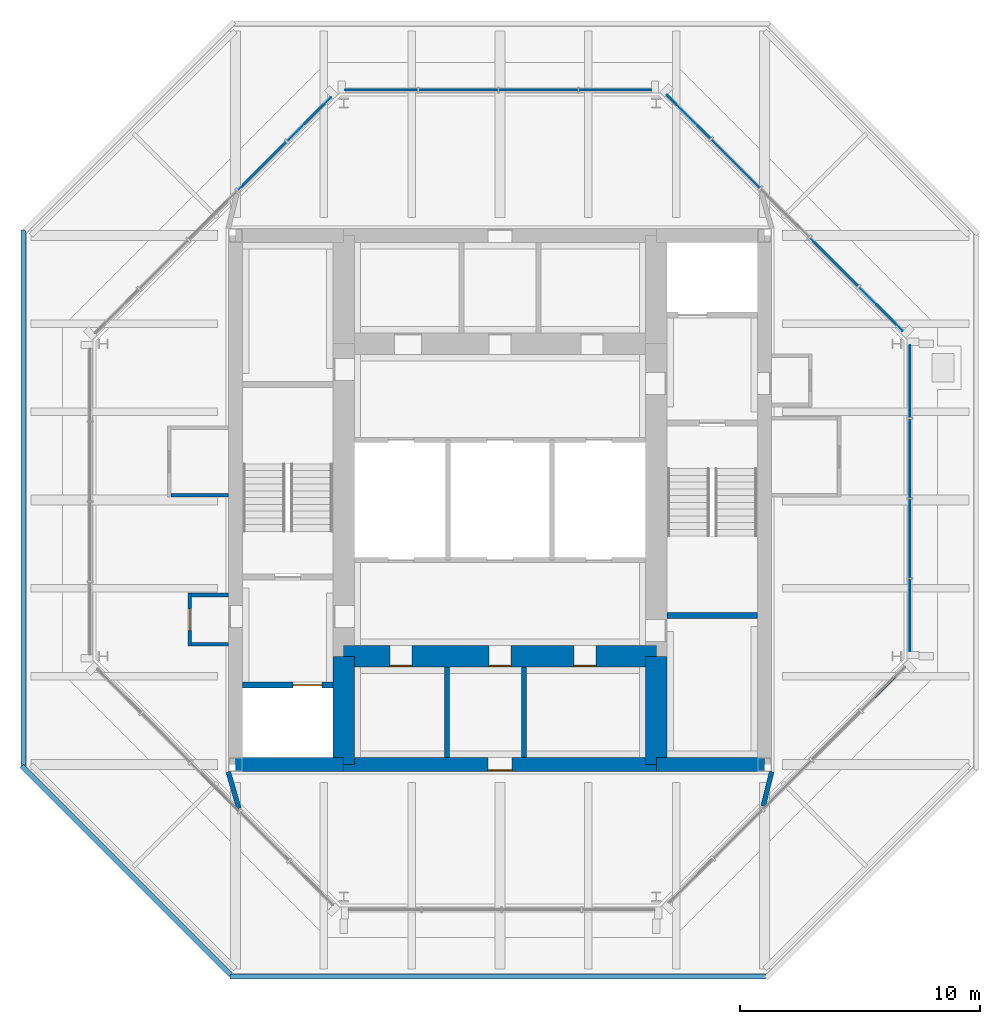
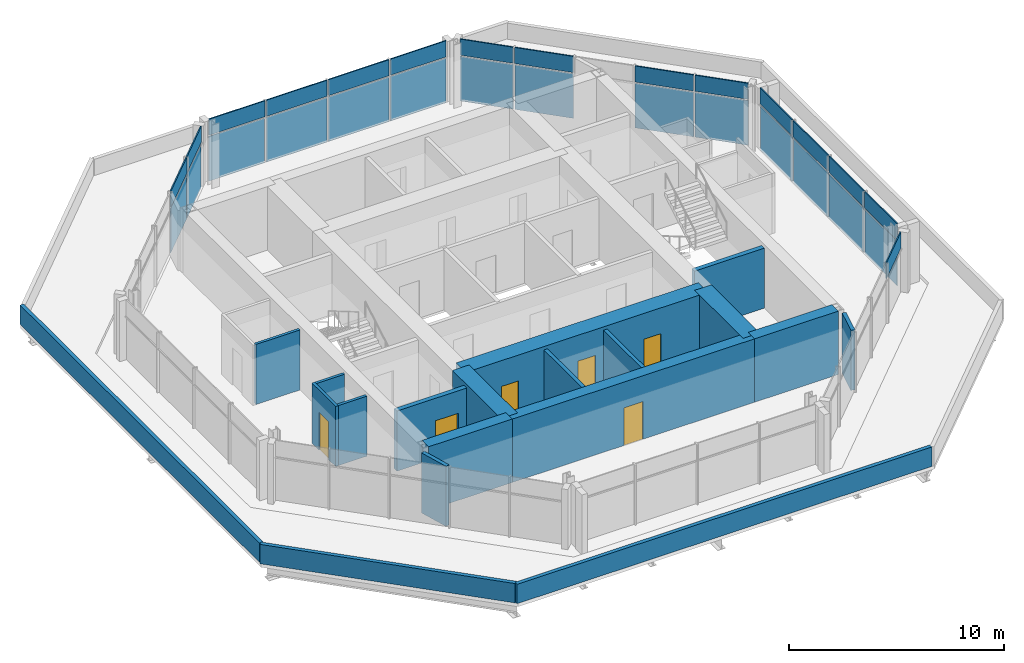
# One storey, part 7 of 10: 29 plates, 19 walls, 6 doors, 6 openings, 5 elements without a shape of their own.
"""IFC4 building model written with IfcOpenShell, lengths in metres."""

from ifc_helpers import new_model, si_unit, direction, frame, frame_2d, origin, origin_2d, place, context, subcontext, project, spatial, rectangle, extrude, material, layer, layer_set, type_object, element, fill, aggregate, save


model = new_model("IFC4")

# Units and contexts
model_context = context("Model", 3, precision=1e-05, world=origin(), true_north=direction((0.0, 1.0)))
body_context = subcontext(model_context, "Body", "Model", "MODEL_VIEW")
ifc_project = project(units=[si_unit("LENGTHUNIT", "METRE"), si_unit("AREAUNIT", "SQUARE_METRE"), si_unit("VOLUMEUNIT", "CUBIC_METRE"), si_unit("PLANEANGLEUNIT", "RADIAN"), si_unit("MASSUNIT", "GRAM", prefix="KILO")], contexts=[model_context])

# Site, building, storey
site_placement = place(None, origin())
site = spatial("IfcSite", under=ifc_project, at=site_placement, CompositionType="ELEMENT")
building_placement = place(site_placement, origin())
building = spatial("IfcBuilding", under=site, at=building_placement, Name="Trevanion Tower", CompositionType="ELEMENT")
storey_placement = place(building_placement, frame((0.0, 0.0, 263.199951171875)))
storey = spatial("IfcBuildingStorey", under=building, at=storey_placement, Name="L64", CompositionType="ELEMENT", Elevation=263.199951171875)

# Curtain wall, plates
ifc_material_1 = material(Name="Aluminium and glass", Category="aluminium")
curtain_wall_type = type_object("IfcCurtainWallType", Name="CW4 curtain wall", PredefinedType="USERDEFINED", material=ifc_material_1)
curtain_wall_1_placement = place(storey_placement, origin())
curtain_wall_1 = element("IfcCurtainWall", 1, at=curtain_wall_1_placement, inside=storey, type_object=curtain_wall_type, Name="CW4 L64 0", ObjectType="UNITISED CURTAIN WALL", PredefinedType="USERDEFINED")
ifc_material_2 = material(Name="Aluminium spandrel panel", Category="aluminium")
ifc_layer_1 = layer(ifc_material_2, 0.06005859375)
ifc_layer_set_1 = layer_set([ifc_layer_1], Name="CW4 spandrel panel")
plate_type_1 = type_object("IfcPlateType", Name="CW4 spandrel panel", PredefinedType="CURTAIN_PANEL", material=ifc_layer_set_1)
plate_1_placement = place(storey_placement, frame((17.050048828125, -4.80078125, 2.49755859375), z_axis=(0.0, 0.0, 1.0), x_axis=(0.0, 1.0, 0.0)))
plate_1 = element("IfcPlate", 2, at=plate_1_placement, type_object=plate_type_1, Name="CW4 panel 1.2", PredefinedType="CURTAIN_PANEL", context=body_context, shape_type="SweptSolid", body=[
    extrude(rectangle(XDim=2.993896484375, YDim=0.06005859375, at=origin_2d()), origin(), (0.0, 0.0, 1.0), 0.91259765625),
])
plate_2_placement = place(storey_placement, frame((17.050048828125, -1.6005859375, 2.49755859375), z_axis=(0.0, 0.0, 1.0), x_axis=(0.0, 1.0, 0.0)))
plate_2 = element("IfcPlate", 3, at=plate_2_placement, type_object=plate_type_1, Name="CW4 panel 2.2", PredefinedType="CURTAIN_PANEL", context=body_context, shape_type="SweptSolid", body=[
    extrude(rectangle(XDim=3.25634765625, YDim=0.06005859375, at=origin_2d()), origin(), (0.0, 0.0, 1.0), 0.91259765625),
])
plate_3_placement = place(storey_placement, frame((17.050048828125, 1.730712890625, 2.49755859375), z_axis=(0.0, 0.0, 1.0), x_axis=(0.0, 1.0, 0.0)))
plate_3 = element("IfcPlate", 4, at=plate_3_placement, type_object=plate_type_1, Name="CW4 panel 3.2", PredefinedType="CURTAIN_PANEL", context=body_context, shape_type="SweptSolid", body=[
    extrude(rectangle(XDim=3.25634765625, YDim=0.06005859375, at=origin_2d()), origin(), (0.0, 0.0, 1.0), 0.91259765625),
])
plate_4_placement = place(storey_placement, frame((17.050048828125, 4.930908203125, 2.49755859375), z_axis=(0.0, 0.0, 1.0), x_axis=(0.0, 1.0, 0.0)))
plate_4 = element("IfcPlate", 5, at=plate_4_placement, type_object=plate_type_1, Name="CW4 panel 4.2", PredefinedType="CURTAIN_PANEL", context=body_context, shape_type="SweptSolid", body=[
    extrude(rectangle(XDim=2.993896484375, YDim=0.06005859375, at=origin_2d()), origin(), (0.0, 0.0, 1.0), 0.91259765625),
])

curtain_wall_2_placement = place(storey_placement, origin())
curtain_wall_2 = element("IfcCurtainWall", 6, at=curtain_wall_2_placement, inside=storey, type_object=curtain_wall_type, Name="CW4 L64 1", ObjectType="UNITISED CURTAIN WALL", PredefinedType="USERDEFINED")
plate_5_placement = place(storey_placement, frame((15.84228515625, 7.935546875, 2.49755859375), z_axis=(0.0, 0.0, 1.0), x_axis=(-0.707106781187, 0.707106781187, 0.0)))
plate_5 = element("IfcPlate", 7, at=plate_5_placement, type_object=plate_type_1, Name="CW4 panel 1.2", PredefinedType="CURTAIN_PANEL", context=body_context, shape_type="SweptSolid", body=[
    extrude(rectangle(XDim=2.55615234375, YDim=0.06005859375, at=origin_2d()), origin(), (0.0, 0.0, 1.0), 0.91259765625),
])
plate_6_placement = place(storey_placement, frame((13.888916015625, 9.888916015625, 2.49755859375), z_axis=(0.0, 0.0, 1.0), x_axis=(-0.707106781187, 0.707106781187, 0.0)))
plate_6 = element("IfcPlate", 8, at=plate_6_placement, type_object=plate_type_1, Name="CW4 panel 2.2", PredefinedType="CURTAIN_PANEL", context=body_context, shape_type="SweptSolid", body=[
    extrude(rectangle(XDim=2.818603515625, YDim=0.06005859375, at=origin_2d()), origin(), (0.0, 0.0, 1.0), 0.91259765625),
])
plate_7_placement = place(storey_placement, frame((9.796875, 13.98095703125, 2.49755859375), z_axis=(0.0, 0.0, 1.0), x_axis=(-0.707106781187, 0.707106781187, 0.0)))
plate_7 = element("IfcPlate", 9, at=plate_7_placement, type_object=plate_type_1, Name="CW4 panel 4.2", PredefinedType="CURTAIN_PANEL", context=body_context, shape_type="SweptSolid", body=[
    extrude(rectangle(XDim=2.818603515625, YDim=0.06005859375, at=origin_2d()), origin(), (0.0, 0.0, 1.0), 0.91259765625),
])
plate_8_placement = place(storey_placement, frame((7.84375, 15.93408203125, 2.49755859375), z_axis=(0.0, 0.0, 1.0), x_axis=(-0.707106781187, 0.707106781187, 0.0)))
plate_8 = element("IfcPlate", 10, at=plate_8_placement, type_object=plate_type_1, Name="CW4 panel 5.2", PredefinedType="CURTAIN_PANEL", context=body_context, shape_type="SweptSolid", body=[
    extrude(rectangle(XDim=2.55615234375, YDim=0.06005859375, at=origin_2d()), origin(), (0.0, 0.0, 1.0), 0.91259765625),
])

curtain_wall_3_placement = place(storey_placement, origin())
curtain_wall_3 = element("IfcCurtainWall", 11, at=curtain_wall_3_placement, inside=storey, type_object=curtain_wall_type, Name="CW4 L64 2", ObjectType="UNITISED CURTAIN WALL", PredefinedType="USERDEFINED")
plate_9_placement = place(storey_placement, frame((4.80078125, 17.050048828125, 2.49755859375), z_axis=(0.0, 0.0, 1.0), x_axis=(-1.0, 0.0, 0.0)))
plate_9 = element("IfcPlate", 12, at=plate_9_placement, type_object=plate_type_1, Name="CW4 panel 1.2", PredefinedType="CURTAIN_PANEL", context=body_context, shape_type="SweptSolid", body=[
    extrude(rectangle(XDim=2.993896484375, YDim=0.06005859375, at=origin_2d()), origin(), (0.0, 0.0, 1.0), 0.91259765625),
])
plate_10_placement = place(storey_placement, frame((1.6005859375, 17.050048828125, 2.49755859375), z_axis=(0.0, 0.0, 1.0), x_axis=(-1.0, 0.0, 0.0)))
plate_10 = element("IfcPlate", 13, at=plate_10_placement, type_object=plate_type_1, Name="CW4 panel 2.2", PredefinedType="CURTAIN_PANEL", context=body_context, shape_type="SweptSolid", body=[
    extrude(rectangle(XDim=3.25634765625, YDim=0.06005859375, at=origin_2d()), origin(), (0.0, 0.0, 1.0), 0.91259765625),
])
plate_11_placement = place(storey_placement, frame((-1.730712890625, 17.050048828125, 2.49755859375), z_axis=(0.0, 0.0, 1.0), x_axis=(-1.0, 0.0, 0.0)))
plate_11 = element("IfcPlate", 14, at=plate_11_placement, type_object=plate_type_1, Name="CW4 panel 3.2", PredefinedType="CURTAIN_PANEL", context=body_context, shape_type="SweptSolid", body=[
    extrude(rectangle(XDim=3.25634765625, YDim=0.06005859375, at=origin_2d()), origin(), (0.0, 0.0, 1.0), 0.91259765625),
])
plate_12_placement = place(storey_placement, frame((-4.930908203125, 17.050048828125, 2.49755859375), z_axis=(0.0, 0.0, 1.0), x_axis=(-1.0, 0.0, 0.0)))
plate_12 = element("IfcPlate", 15, at=plate_12_placement, type_object=plate_type_1, Name="CW4 panel 4.2", PredefinedType="CURTAIN_PANEL", context=body_context, shape_type="SweptSolid", body=[
    extrude(rectangle(XDim=2.993896484375, YDim=0.06005859375, at=origin_2d()), origin(), (0.0, 0.0, 1.0), 0.91259765625),
])

curtain_wall_4_placement = place(storey_placement, origin())
curtain_wall_4 = element("IfcCurtainWall", 16, at=curtain_wall_4_placement, inside=storey, type_object=curtain_wall_type, Name="CW4 L64 3", ObjectType="UNITISED CURTAIN WALL", PredefinedType="USERDEFINED")
plate_13_placement = place(storey_placement, frame((-7.935546875, 15.84228515625, 2.49755859375), z_axis=(0.0, 0.0, 1.0), x_axis=(-0.707106781187, -0.707106781187, 0.0)))
plate_13 = element("IfcPlate", 17, at=plate_13_placement, type_object=plate_type_1, Name="CW4 panel 1.2", PredefinedType="CURTAIN_PANEL", context=body_context, shape_type="SweptSolid", body=[
    extrude(rectangle(XDim=2.55615234375, YDim=0.06005859375, at=origin_2d()), origin(), (0.0, 0.0, 1.0), 0.91259765625),
])
plate_14_placement = place(storey_placement, frame((-9.888916015625, 13.888916015625, 2.49755859375), z_axis=(0.0, 0.0, 1.0), x_axis=(-0.707106781187, -0.707106781187, 0.0)))
plate_14 = element("IfcPlate", 18, at=plate_14_placement, type_object=plate_type_1, Name="CW4 panel 2.2", PredefinedType="CURTAIN_PANEL", context=body_context, shape_type="SweptSolid", body=[
    extrude(rectangle(XDim=2.818603515625, YDim=0.06005859375, at=origin_2d()), origin(), (0.0, 0.0, 1.0), 0.91259765625),
])

# Curtain wall, plate
curtain_wall_5_placement = place(storey_placement, origin())
curtain_wall_5 = element("IfcCurtainWall", 19, at=curtain_wall_5_placement, inside=storey, type_object=curtain_wall_type, Name="CW4 L64 7", ObjectType="UNITISED CURTAIN WALL", PredefinedType="USERDEFINED")
plate_15_placement = place(storey_placement, frame((15.93408203125, -7.84375, 2.49755859375), z_axis=(0.0, 0.0, 1.0), x_axis=(0.707106781187, 0.707106781187, 0.0)))
plate_15 = element("IfcPlate", 20, at=plate_15_placement, type_object=plate_type_1, Name="CW4 panel 5.2", PredefinedType="CURTAIN_PANEL", context=body_context, shape_type="SweptSolid", body=[
    extrude(rectangle(XDim=2.55615234375, YDim=0.06005859375, at=origin_2d()), origin(), (0.0, 0.0, 1.0), 0.91259765625),
])
aggregate(curtain_wall_5, [plate_15])

# Plate
ifc_material_3 = material(Name="Insulating glass unit", Category="glass")
ifc_layer_2 = layer(ifc_material_3, 0.028076171875)
ifc_layer_set_2 = layer_set([ifc_layer_2], Name="CW4 vision panel")
plate_type_2 = type_object("IfcPlateType", Name="CW4 vision panel", PredefinedType="CURTAIN_PANEL", material=ifc_layer_set_2)
plate_16_placement = place(storey_placement, frame((17.050048828125, -4.80078125, -0.114990234375), z_axis=(0.0, 0.0, 1.0), x_axis=(0.0, 1.0, 0.0)))
plate_16 = element("IfcPlate", 21, at=plate_16_placement, type_object=plate_type_2, Name="CW4 panel 1.1", PredefinedType="CURTAIN_PANEL", context=body_context, shape_type="SweptSolid", body=[
    extrude(rectangle(XDim=2.993896484375, YDim=0.028076171875, at=origin_2d()), origin(), (0.0, 0.0, 1.0), 2.53759765625),
])

plate_17_placement = place(storey_placement, frame((17.050048828125, -1.6005859375, -0.114990234375), z_axis=(0.0, 0.0, 1.0), x_axis=(0.0, 1.0, 0.0)))
plate_17 = element("IfcPlate", 22, at=plate_17_placement, type_object=plate_type_2, Name="CW4 panel 2.1", PredefinedType="CURTAIN_PANEL", context=body_context, shape_type="SweptSolid", body=[
    extrude(rectangle(XDim=3.25634765625, YDim=0.028076171875, at=origin_2d()), origin(), (0.0, 0.0, 1.0), 2.53759765625),
])

plate_18_placement = place(storey_placement, frame((17.050048828125, 1.730712890625, -0.114990234375), z_axis=(0.0, 0.0, 1.0), x_axis=(0.0, 1.0, 0.0)))
plate_18 = element("IfcPlate", 23, at=plate_18_placement, type_object=plate_type_2, Name="CW4 panel 3.1", PredefinedType="CURTAIN_PANEL", context=body_context, shape_type="SweptSolid", body=[
    extrude(rectangle(XDim=3.25634765625, YDim=0.028076171875, at=origin_2d()), origin(), (0.0, 0.0, 1.0), 2.53759765625),
])

plate_19_placement = place(storey_placement, frame((17.050048828125, 4.930908203125, -0.114990234375), z_axis=(0.0, 0.0, 1.0), x_axis=(0.0, 1.0, 0.0)))
plate_19 = element("IfcPlate", 24, at=plate_19_placement, type_object=plate_type_2, Name="CW4 panel 4.1", PredefinedType="CURTAIN_PANEL", context=body_context, shape_type="SweptSolid", body=[
    extrude(rectangle(XDim=2.993896484375, YDim=0.028076171875, at=origin_2d()), origin(), (0.0, 0.0, 1.0), 2.53759765625),
])

aggregate(curtain_wall_1, [plate_16, plate_1, plate_17, plate_2, plate_18, plate_3, plate_19, plate_4])

plate_20_placement = place(storey_placement, frame((15.84228515625, 7.935546875, -0.114990234375), z_axis=(0.0, 0.0, 1.0), x_axis=(-0.707106781187, 0.707106781187, 0.0)))
plate_20 = element("IfcPlate", 25, at=plate_20_placement, type_object=plate_type_2, Name="CW4 panel 1.1", PredefinedType="CURTAIN_PANEL", context=body_context, shape_type="SweptSolid", body=[
    extrude(rectangle(XDim=2.55615234375, YDim=0.028076171875, at=origin_2d()), origin(), (0.0, 0.0, 1.0), 2.53759765625),
])

plate_21_placement = place(storey_placement, frame((13.888916015625, 9.888916015625, -0.114990234375), z_axis=(0.0, 0.0, 1.0), x_axis=(-0.707106781187, 0.707106781187, 0.0)))
plate_21 = element("IfcPlate", 26, at=plate_21_placement, type_object=plate_type_2, Name="CW4 panel 2.1", PredefinedType="CURTAIN_PANEL", context=body_context, shape_type="SweptSolid", body=[
    extrude(rectangle(XDim=2.818603515625, YDim=0.028076171875, at=origin_2d()), origin(), (0.0, 0.0, 1.0), 2.53759765625),
])

plate_22_placement = place(storey_placement, frame((9.796875, 13.98095703125, -0.114990234375), z_axis=(0.0, 0.0, 1.0), x_axis=(-0.707106781187, 0.707106781187, 0.0)))
plate_22 = element("IfcPlate", 27, at=plate_22_placement, type_object=plate_type_2, Name="CW4 panel 4.1", PredefinedType="CURTAIN_PANEL", context=body_context, shape_type="SweptSolid", body=[
    extrude(rectangle(XDim=2.818603515625, YDim=0.028076171875, at=origin_2d()), origin(), (0.0, 0.0, 1.0), 2.53759765625),
])

plate_23_placement = place(storey_placement, frame((7.84375, 15.93408203125, -0.114990234375), z_axis=(0.0, 0.0, 1.0), x_axis=(-0.707106781187, 0.707106781187, 0.0)))
plate_23 = element("IfcPlate", 28, at=plate_23_placement, type_object=plate_type_2, Name="CW4 panel 5.1", PredefinedType="CURTAIN_PANEL", context=body_context, shape_type="SweptSolid", body=[
    extrude(rectangle(XDim=2.55615234375, YDim=0.028076171875, at=origin_2d()), origin(), (0.0, 0.0, 1.0), 2.53759765625),
])

aggregate(curtain_wall_2, [plate_20, plate_5, plate_21, plate_6, plate_22, plate_7, plate_23, plate_8])

plate_24_placement = place(storey_placement, frame((4.80078125, 17.050048828125, -0.114990234375), z_axis=(0.0, 0.0, 1.0), x_axis=(-1.0, 0.0, 0.0)))
plate_24 = element("IfcPlate", 29, at=plate_24_placement, type_object=plate_type_2, Name="CW4 panel 1.1", PredefinedType="CURTAIN_PANEL", context=body_context, shape_type="SweptSolid", body=[
    extrude(rectangle(XDim=2.993896484375, YDim=0.028076171875, at=origin_2d()), origin(), (0.0, 0.0, 1.0), 2.53759765625),
])

plate_25_placement = place(storey_placement, frame((1.6005859375, 17.050048828125, -0.114990234375), z_axis=(0.0, 0.0, 1.0), x_axis=(-1.0, 0.0, 0.0)))
plate_25 = element("IfcPlate", 30, at=plate_25_placement, type_object=plate_type_2, Name="CW4 panel 2.1", PredefinedType="CURTAIN_PANEL", context=body_context, shape_type="SweptSolid", body=[
    extrude(rectangle(XDim=3.25634765625, YDim=0.028076171875, at=origin_2d()), origin(), (0.0, 0.0, 1.0), 2.53759765625),
])

plate_26_placement = place(storey_placement, frame((-1.730712890625, 17.050048828125, -0.114990234375), z_axis=(0.0, 0.0, 1.0), x_axis=(-1.0, 0.0, 0.0)))
plate_26 = element("IfcPlate", 31, at=plate_26_placement, type_object=plate_type_2, Name="CW4 panel 3.1", PredefinedType="CURTAIN_PANEL", context=body_context, shape_type="SweptSolid", body=[
    extrude(rectangle(XDim=3.25634765625, YDim=0.028076171875, at=origin_2d()), origin(), (0.0, 0.0, 1.0), 2.53759765625),
])

plate_27_placement = place(storey_placement, frame((-4.930908203125, 17.050048828125, -0.114990234375), z_axis=(0.0, 0.0, 1.0), x_axis=(-1.0, 0.0, 0.0)))
plate_27 = element("IfcPlate", 32, at=plate_27_placement, type_object=plate_type_2, Name="CW4 panel 4.1", PredefinedType="CURTAIN_PANEL", context=body_context, shape_type="SweptSolid", body=[
    extrude(rectangle(XDim=2.993896484375, YDim=0.028076171875, at=origin_2d()), origin(), (0.0, 0.0, 1.0), 2.53759765625),
])

aggregate(curtain_wall_3, [plate_24, plate_9, plate_25, plate_10, plate_26, plate_11, plate_27, plate_12])

plate_28_placement = place(storey_placement, frame((-7.935546875, 15.84228515625, -0.114990234375), z_axis=(0.0, 0.0, 1.0), x_axis=(-0.707106781187, -0.707106781187, 0.0)))
plate_28 = element("IfcPlate", 33, at=plate_28_placement, type_object=plate_type_2, Name="CW4 panel 1.1", PredefinedType="CURTAIN_PANEL", context=body_context, shape_type="SweptSolid", body=[
    extrude(rectangle(XDim=2.55615234375, YDim=0.028076171875, at=origin_2d()), origin(), (0.0, 0.0, 1.0), 2.53759765625),
])

plate_29_placement = place(storey_placement, frame((-9.888916015625, 13.888916015625, -0.114990234375), z_axis=(0.0, 0.0, 1.0), x_axis=(-0.707106781187, -0.707106781187, 0.0)))
plate_29 = element("IfcPlate", 34, at=plate_29_placement, type_object=plate_type_2, Name="CW4 panel 2.1", PredefinedType="CURTAIN_PANEL", context=body_context, shape_type="SweptSolid", body=[
    extrude(rectangle(XDim=2.818603515625, YDim=0.028076171875, at=origin_2d()), origin(), (0.0, 0.0, 1.0), 2.53759765625),
])

aggregate(curtain_wall_4, [plate_28, plate_13, plate_29, plate_14])

# Wall
ifc_material_4 = material(Name="Concrete 10,000 psi", Category="concrete")
ifc_layer_3 = layer(ifc_material_4, 0.60009765625)
ifc_layer_set_3 = layer_set([ifc_layer_3], Name="CW1 core wall 600")
wall_type_1 = type_object("IfcWallType", Name="CW1 core wall 600", PredefinedType="SHEAR", material=ifc_layer_set_3)
wall_1_placement = place(storey_placement, frame((-11.0, -11.0, 0.0), z_axis=(0.0, 0.0, 1.0), x_axis=(1.0, 0.0, 0.0)))
element("IfcWall", 35, at=wall_1_placement, inside=storey, type_object=wall_type_1, Name="CW1 CS1 L64", PredefinedType="SHEAR", context=body_context, shape_type="SweptSolid", body=[
    extrude(rectangle(XDim=4.5, YDim=0.60009765625, at=frame_2d((2.25, 0.0))), origin(), (0.0, 0.0, 1.0), 3.60009765625),
])

# Wall, opening, door
wall_2_placement = place(storey_placement, frame((-6.5, -11.0, 0.0), z_axis=(0.0, 0.0, 1.0), x_axis=(1.0, 0.0, 0.0)))
wall_2 = element("IfcWall", 36, at=wall_2_placement, inside=storey, type_object=wall_type_1, Name="CW1 CS2 L64", PredefinedType="SHEAR", context=body_context, shape_type="SweptSolid", body=[
    extrude(rectangle(XDim=13.0, YDim=0.60009765625, at=frame_2d((6.5, 0.0))), origin(), (0.0, 0.0, 1.0), 3.60009765625),
])
opening_1_placement = place(wall_2_placement, frame((6.0, 0.0, 0.0)))
opening_1 = element("IfcOpeningElement", 37, at=opening_1_placement, cuts=wall_2, Name="Opening 64-022", PredefinedType="OPENING", context=body_context, shape_type="SweptSolid", body=[
    extrude(rectangle(XDim=1.0, YDim=2.134033203125, at=frame_2d((0.5, 1.06689453125))), frame((0.0, 0.31005859375, 0.0), z_axis=(0.0, -1.0, 0.0), x_axis=(1.0, 0.0, 0.0)), (0.0, 0.0, 1.0), 0.6201171875),
])
ifc_material_5 = material(Name="Timber veneer on steel frame, fire rated", Category="steel")
door_type_1 = type_object("IfcDoorType", Name="D13 residence entrance door", OperationType="SINGLE_SWING_RIGHT", PredefinedType="DOOR", material=ifc_material_5)
door_1_placement = place(opening_1_placement, origin())
door_1 = element("IfcDoor", 38, at=door_1_placement, inside=storey, type_object=door_type_1, Name="Door 64-022", OperationType="SINGLE_SWING_RIGHT", OverallHeight=2.134033203125, OverallWidth=1.0, PredefinedType="DOOR", context=body_context, shape_type="SweptSolid", body=[
    extrude(rectangle(XDim=1.0, YDim=2.134033203125, at=frame_2d((0.5, 1.06689453125))), frame((0.0, -0.22509765625, 0.0), z_axis=(0.0, -1.0, 0.0), x_axis=(1.0, 0.0, 0.0)), (0.0, 0.0, 1.0), 0.050048828125),
])
fill(opening_1, door_1)

# Walls
wall_3_placement = place(storey_placement, frame((6.5, -11.0, 0.0), z_axis=(0.0, 0.0, 1.0), x_axis=(1.0, 0.0, 0.0)))
element("IfcWall", 39, at=wall_3_placement, inside=storey, type_object=wall_type_1, Name="CW1 CS3 L64", PredefinedType="SHEAR", context=body_context, shape_type="SweptSolid", body=[
    extrude(rectangle(XDim=4.5, YDim=0.60009765625, at=frame_2d((2.25, 0.0))), origin(), (0.0, 0.0, 1.0), 3.60009765625),
])
ifc_material_6 = material(Name="Concrete 10,000 psi", Category="concrete")
ifc_layer_4 = layer(ifc_material_6, 0.89990234375)
ifc_layer_set_4 = layer_set([ifc_layer_4], Name="CW2 core wall 900")
wall_type_2 = type_object("IfcWallType", Name="CW2 core wall 900", PredefinedType="SHEAR", material=ifc_layer_set_4)
for number, where, z_axis, x_axis, name in (
    (40, (6.5, -11.0, 0.0), (0.0, 0.0, 1.0), (0.0, 1.0, 0.0), "CW2 RE1 L64"),
    (41, (-6.5, -6.5, 0.0), (0.0, 0.0, 1.0), (0.0, -1.0, 0.0), "CW2 RW3 L64"),
):
    element("IfcWall", number, at=place(storey_placement, frame(where, z_axis=z_axis, x_axis=x_axis)), inside=storey, type_object=wall_type_2, Name=name, PredefinedType="SHEAR", context=body_context, shape_type="SweptSolid", body=[
        extrude(rectangle(XDim=4.5, YDim=0.89990234375, at=frame_2d((2.25, 0.0))), origin(), (0.0, 0.0, 1.0), 3.60009765625),
    ])

# Wall, openings, doors
wall_4_placement = place(storey_placement, frame((-6.5, -6.5, 0.0), z_axis=(0.0, 0.0, 1.0), x_axis=(1.0, 0.0, 0.0)))
wall_4 = element("IfcWall", 42, at=wall_4_placement, inside=storey, type_object=wall_type_2, Name="CW2 RS L64", PredefinedType="SHEAR", context=body_context, shape_type="SweptSolid", body=[
    extrude(rectangle(XDim=13.0, YDim=0.89990234375, at=frame_2d((6.5, 0.0))), origin(), (0.0, 0.0, 1.0), 3.60009765625),
])
opening_2_placement = place(wall_4_placement, frame((6.04248046875, 0.0, 0.0)))
opening_2 = element("IfcOpeningElement", 43, at=opening_2_placement, cuts=wall_4, Name="Opening 64-021", PredefinedType="OPENING", context=body_context, shape_type="SweptSolid", body=[
    extrude(rectangle(XDim=0.9150390625, YDim=2.134033203125, at=frame_2d((0.45751953125, 1.06689453125))), frame((0.0, 0.4599609375, 0.0), z_axis=(0.0, -1.0, 0.0), x_axis=(1.0, 0.0, 0.0)), (0.0, 0.0, 1.0), 0.919921875),
])
opening_3_placement = place(wall_4_placement, frame((1.91748046875, 0.0, 0.0)))
opening_3 = element("IfcOpeningElement", 44, at=opening_3_placement, cuts=wall_4, Name="Opening 64-023", PredefinedType="OPENING", context=body_context, shape_type="SweptSolid", body=[
    extrude(rectangle(XDim=0.9150390625, YDim=2.134033203125, at=frame_2d((0.45751953125, 1.06689453125))), frame((0.0, 0.4599609375, 0.0), z_axis=(0.0, -1.0, 0.0), x_axis=(1.0, 0.0, 0.0)), (0.0, 0.0, 1.0), 0.919921875),
])
opening_4_placement = place(wall_4_placement, frame((9.5673828125, 0.0, 0.0)))
opening_4 = element("IfcOpeningElement", 45, at=opening_4_placement, cuts=wall_4, Name="Opening 64-024", PredefinedType="OPENING", context=body_context, shape_type="SweptSolid", body=[
    extrude(rectangle(XDim=0.9150390625, YDim=2.134033203125, at=frame_2d((0.45751953125, 1.06689453125))), frame((0.0, 0.4599609375, 0.0), z_axis=(0.0, -1.0, 0.0), x_axis=(1.0, 0.0, 0.0)), (0.0, 0.0, 1.0), 0.919921875),
])
ifc_material_7 = material(Name="Hollow metal, fire rated", Category="steel")
door_type_2 = type_object("IfcDoorType", Name="D3 fire lift lobby door", OperationType="SINGLE_SWING_RIGHT", PredefinedType="DOOR", material=ifc_material_7)
door_2_placement = place(opening_2_placement, origin())
door_2 = element("IfcDoor", 46, at=door_2_placement, inside=storey, type_object=door_type_2, Name="Door 64-021", OperationType="SINGLE_SWING_RIGHT", OverallHeight=2.134033203125, OverallWidth=0.9150390625, PredefinedType="DOOR", context=body_context, shape_type="SweptSolid", body=[
    extrude(rectangle(XDim=0.9150390625, YDim=2.134033203125, at=frame_2d((0.45751953125, 1.06689453125))), frame((0.0, -0.375, 0.0), z_axis=(0.0, -1.0, 0.0), x_axis=(1.0, 0.0, 0.0)), (0.0, 0.0, 1.0), 0.050048828125),
])
fill(opening_2, door_2)
ifc_material_8 = material(Name="Hollow metal, fire rated", Category="steel")
door_type_3 = type_object("IfcDoorType", Name="D5 service room door", OperationType="SINGLE_SWING_RIGHT", PredefinedType="DOOR", material=ifc_material_8)
door_3_placement = place(opening_3_placement, origin())
door_3 = element("IfcDoor", 47, at=door_3_placement, inside=storey, type_object=door_type_3, Name="Door 64-023", OperationType="SINGLE_SWING_RIGHT", OverallHeight=2.134033203125, OverallWidth=0.9150390625, PredefinedType="DOOR", context=body_context, shape_type="SweptSolid", body=[
    extrude(rectangle(XDim=0.9150390625, YDim=2.134033203125, at=frame_2d((0.45751953125, 1.06689453125))), frame((0.0, -0.375, 0.0), z_axis=(0.0, -1.0, 0.0), x_axis=(1.0, 0.0, 0.0)), (0.0, 0.0, 1.0), 0.050048828125),
])
fill(opening_3, door_3)
door_4_placement = place(opening_4_placement, origin())
door_4 = element("IfcDoor", 48, at=door_4_placement, inside=storey, type_object=door_type_3, Name="Door 64-024", OperationType="SINGLE_SWING_RIGHT", OverallHeight=2.134033203125, OverallWidth=0.9150390625, PredefinedType="DOOR", context=body_context, shape_type="SweptSolid", body=[
    extrude(rectangle(XDim=0.9150390625, YDim=2.134033203125, at=frame_2d((0.45751953125, 1.06689453125))), frame((0.0, -0.375, 0.0), z_axis=(0.0, -1.0, 0.0), x_axis=(1.0, 0.0, 0.0)), (0.0, 0.0, 1.0), 0.050048828125),
])
fill(opening_4, door_4)

# Walls
ifc_material_9 = material(Name="Reinforced concrete parapet faced in bronze metal coping", Category="concrete")
ifc_layer_5 = layer(ifc_material_9, 0.199951171875)
ifc_layer_set_5 = layer_set([ifc_layer_5], Name="PP1 parapet 200")
wall_type_3 = type_object("IfcWallType", Name="PP1 parapet 200", PredefinedType="PARAPET", material=ifc_layer_set_5)
wall_5_placement = place(storey_placement, frame((11.032470703125, -19.820068359375, 0.0), z_axis=(0.0, 0.0, 1.0), x_axis=(-1.0, 0.0, 0.0)))
element("IfcWall", 49, at=wall_5_placement, inside=storey, type_object=wall_type_3, Name="PP1 L64 2", PredefinedType="PARAPET", context=body_context, shape_type="SweptSolid", body=[
    extrude(rectangle(XDim=22.264892578125, YDim=0.199951171875, at=frame_2d((11.13232421875, 0.0))), origin(), (0.0, 0.0, 1.0), 1.10009765625),
])
wall_6_placement = place(storey_placement, frame((-11.203369140625, -19.749267578125, 0.0), z_axis=(0.0, 0.0, 1.0), x_axis=(-0.707096845237, 0.707116716997, 0.0)))
element("IfcWall", 50, at=wall_6_placement, inside=storey, type_object=wall_type_3, Name="PP1 L64 3", PredefinedType="PARAPET", context=body_context, shape_type="SweptSolid", body=[
    extrude(rectangle(XDim=12.285888671875, YDim=0.199951171875, at=frame_2d((6.14306640625, 0.0))), origin(), (0.0, 0.0, 1.0), 1.10009765625),
])
wall_7_placement = place(storey_placement, frame((-19.820068359375, -11.032470703125, 0.0), z_axis=(0.0, 0.0, 1.0), x_axis=(0.0, 1.0, 0.0)))
element("IfcWall", 51, at=wall_7_placement, inside=storey, type_object=wall_type_3, Name="PP1 L64 4", PredefinedType="PARAPET", context=body_context, shape_type="SweptSolid", body=[
    extrude(rectangle(XDim=22.264892578125, YDim=0.199951171875, at=frame_2d((11.13232421875, 0.0))), origin(), (0.0, 0.0, 1.0), 1.10009765625),
])

# Wall, opening, door
ifc_material_10 = material(Name="Gypsum board on steel studs", Category="steel")
ifc_layer_6 = layer(ifc_material_10, 0.14990234375)
ifc_layer_set_6 = layer_set([ifc_layer_6], Name="PT1 partition 150")
wall_type_4 = type_object("IfcWallType", Name="PT1 partition 150", PredefinedType="PARTITIONING", material=ifc_layer_set_6)
wall_8_placement = place(storey_placement, frame((-12.89990234375, -3.875, 0.0), z_axis=(0.0, 0.0, 1.0), x_axis=(0.0, -1.0, 0.0)))
wall_8 = element("IfcWall", 52, at=wall_8_placement, inside=storey, type_object=wall_type_4, Name="PT1 L64 RWEF", PredefinedType="PARTITIONING", context=body_context, shape_type="SweptSolid", body=[
    extrude(rectangle(XDim=2.199951171875, YDim=0.14990234375, at=frame_2d((1.10009765625, 0.0))), origin(), (0.0, 0.0, 1.0), 3.41015625),
])
opening_5_placement = place(wall_8_placement, frame((0.642578125, 0.0, 0.0)))
opening_5 = element("IfcOpeningElement", 53, at=opening_5_placement, cuts=wall_8, Name="Opening 64-027", PredefinedType="OPENING", context=body_context, shape_type="SweptSolid", body=[
    extrude(rectangle(XDim=0.9150390625, YDim=2.134033203125, at=frame_2d((0.45751953125, 1.06689453125))), frame((0.0, 0.0849609375, 0.0), z_axis=(0.0, -1.0, 0.0), x_axis=(1.0, 0.0, 0.0)), (0.0, 0.0, 1.0), 0.169921875),
])
ifc_material_11 = material(Name="Timber veneer, solid core", Category="wood")
door_type_4 = type_object("IfcDoorType", Name="D1 office and meeting room door", OperationType="SINGLE_SWING_LEFT", PredefinedType="DOOR", material=ifc_material_11)
door_5_placement = place(opening_5_placement, origin())
door_5 = element("IfcDoor", 54, at=door_5_placement, inside=storey, type_object=door_type_4, Name="Door 64-027", OperationType="SINGLE_SWING_LEFT", OverallHeight=2.134033203125, OverallWidth=0.9150390625, PredefinedType="DOOR", context=body_context, shape_type="SweptSolid", body=[
    extrude(rectangle(XDim=0.9150390625, YDim=2.134033203125, at=frame_2d((0.45751953125, 1.06689453125))), frame((0.0, 0.02490234375, 0.0), z_axis=(0.0, -1.0, 0.0), x_axis=(1.0, 0.0, 0.0)), (0.0, 0.0, 1.0), 0.050048828125),
])
fill(opening_5, door_5)

# Walls
for number, where, z_axis, x_axis, name in (
    (55, (-11.300048828125, -3.949951171875, 0.0), (0.0, 0.0, 1.0), (-1.0, 0.0, 0.0), "PT1 L64 RWEA"),
    (56, (-11.300048828125, -6.0, 0.0), (0.0, 0.0, 1.0), (-1.0, 0.0, 0.0), "PT1 L64 RWEB"),
):
    element("IfcWall", number, at=place(storey_placement, frame(where, z_axis=z_axis, x_axis=x_axis)), inside=storey, type_object=wall_type_4, Name=name, PredefinedType="PARTITIONING", context=body_context, shape_type="SweptSolid", body=[
        extrude(rectangle(XDim=1.52490234375, YDim=0.14990234375, at=frame_2d((0.762451171875, 0.0))), origin(), (0.0, 0.0, 1.0), 3.41015625),
    ])
wall_9_placement = place(storey_placement, frame((-11.300048828125, 0.199951171875, 0.0), z_axis=(0.0, 0.0, 1.0), x_axis=(-1.0, 0.0, 0.0)))
element("IfcWall", 57, at=wall_9_placement, inside=storey, type_object=wall_type_4, Name="PT1 L64 RWTB", PredefinedType="PARTITIONING", context=body_context, shape_type="SweptSolid", body=[
    extrude(rectangle(XDim=2.375, YDim=0.14990234375, at=frame_2d((1.1875, 0.0))), origin(), (0.0, 0.0, 1.0), 3.41015625),
])
ifc_material_12 = material(Name="Concrete masonry, grouted", Category="masonry")
ifc_layer_7 = layer(ifc_material_12, 0.199951171875)
ifc_layer_set_7 = layer_set([ifc_layer_7], Name="PT2 partition 200 1 HR")
wall_type_5 = type_object("IfcWallType", Name="PT2 partition 200 1 HR", PredefinedType="PARTITIONING", material=ifc_layer_set_7)
for number, where, z_axis, x_axis, name in (
    (58, (-2.199951171875, -6.949951171875, 0.0), (0.0, 0.0, 1.0), (0.0, -1.0, 0.0), "PT2 L64 CSP1"),
    (59, (1.0, -6.949951171875, 0.0), (0.0, 0.0, 1.0), (0.0, -1.0, 0.0), "PT2 L64 CSP2"),
):
    element("IfcWall", number, at=place(storey_placement, frame(where, z_axis=z_axis, x_axis=x_axis)), inside=storey, type_object=wall_type_5, Name=name, PredefinedType="PARTITIONING", context=body_context, shape_type="SweptSolid", body=[
        extrude(rectangle(XDim=3.75, YDim=0.199951171875, at=frame_2d((1.875, 0.0))), origin(), (0.0, 0.0, 1.0), 3.41015625),
    ])
wall_10_placement = place(storey_placement, frame((-11.300048828125, -11.300048828125, 0.0), z_axis=(0.0, 0.0, 1.0), x_axis=(0.278099250491, -0.960552344683, 0.0)))
element("IfcWall", 60, at=wall_10_placement, inside=storey, type_object=wall_type_5, Name="PT2 L64 UB2", PredefinedType="PARTITIONING", context=body_context, shape_type="SweptSolid", body=[
    extrude(rectangle(XDim=1.583740234375, YDim=0.199951171875, at=frame_2d((0.7919921875, 0.0))), origin(), (0.0, 0.0, 1.0), 3.41015625),
])
wall_11_placement = place(storey_placement, frame((11.300048828125, -11.300048828125, 0.0), z_axis=(0.0, 0.0, 1.0), x_axis=(-0.24050983258, -0.970646702169, 0.0)))
element("IfcWall", 61, at=wall_11_placement, inside=storey, type_object=wall_type_5, Name="PT2 L64 UB3", PredefinedType="PARTITIONING", context=body_context, shape_type="SweptSolid", body=[
    extrude(rectangle(XDim=1.474853515625, YDim=0.199951171875, at=frame_2d((0.7373046875, 0.0))), origin(), (0.0, 0.0, 1.0), 3.41015625),
])

# Wall, opening, door
ifc_material_13 = material(Name="Concrete masonry, grouted, two-hour", Category="masonry")
ifc_layer_8 = layer(ifc_material_13, 0.25)
ifc_layer_set_8 = layer_set([ifc_layer_8], Name="PT3 partition 250 2 HR")
wall_type_6 = type_object("IfcWallType", Name="PT3 partition 250 2 HR", PredefinedType="PARTITIONING", material=ifc_layer_set_8)
wall_12_placement = place(storey_placement, frame((-6.949951171875, -7.699951171875, 0.0), z_axis=(0.0, 0.0, 1.0), x_axis=(-1.0, 0.0, 0.0)))
wall_12 = element("IfcWall", 62, at=wall_12_placement, inside=storey, type_object=wall_type_6, Name="PT3 L64 WP3", PredefinedType="PARTITIONING", context=body_context, shape_type="SweptSolid", body=[
    extrude(rectangle(XDim=3.75, YDim=0.25, at=frame_2d((1.875, 0.0))), origin(), (0.0, 0.0, 1.0), 3.41015625),
])
opening_6_placement = place(wall_12_placement, frame((0.449951171875, 0.0, 0.0)))
opening_6 = element("IfcOpeningElement", 63, at=opening_6_placement, cuts=wall_12, Name="Opening 64-008", PredefinedType="OPENING", context=body_context, shape_type="SweptSolid", body=[
    extrude(rectangle(XDim=1.218994140625, YDim=2.134033203125, at=frame_2d((0.609375, 1.06689453125))), frame((0.0, 0.135009765625, 0.0), z_axis=(0.0, -1.0, 0.0), x_axis=(1.0, 0.0, 0.0)), (0.0, 0.0, 1.0), 0.27001953125),
])
ifc_material_14 = material(Name="Stainless steel, fire rated", Category="steel")
door_type_5 = type_object("IfcDoorType", Name="LD2 fire service lift landing door", OperationType="SLIDING_TO_LEFT", PredefinedType="DOOR", material=ifc_material_14)
door_6_placement = place(opening_6_placement, origin())
door_6 = element("IfcDoor", 64, at=door_6_placement, inside=storey, type_object=door_type_5, Name="Door 64-008", OperationType="SLIDING_TO_LEFT", OverallHeight=2.134033203125, OverallWidth=1.218994140625, PredefinedType="DOOR", context=body_context, shape_type="SweptSolid", body=[
    extrude(rectangle(XDim=1.218994140625, YDim=2.134033203125, at=frame_2d((0.609375, 1.06689453125))), frame((0.0, 0.02490234375, 0.0), z_axis=(0.0, -1.0, 0.0), x_axis=(1.0, 0.0, 0.0)), (0.0, 0.0, 1.0), 0.050048828125),
])
fill(opening_6, door_6)

# Wall
ifc_material_15 = material(Name="Reinforced masonry, fully grouted", Category="masonry")
ifc_layer_9 = layer(ifc_material_15, 0.25)
ifc_layer_set_9 = layer_set([ifc_layer_9], Name="SW1 stair shaft wall 250")
wall_type_7 = type_object("IfcWallType", Name="SW1 stair shaft wall 250", PredefinedType="SOLIDWALL", material=ifc_layer_set_9)
wall_13_placement = place(storey_placement, frame((6.949951171875, -4.800048828125, 0.0), z_axis=(0.0, 0.0, 1.0), x_axis=(1.0, 0.0, 0.0)))
element("IfcWall", 65, at=wall_13_placement, inside=storey, type_object=wall_type_7, Name="SW1 L64 EP1", PredefinedType="SOLIDWALL", context=body_context, shape_type="SweptSolid", body=[
    extrude(rectangle(XDim=3.75, YDim=0.25, at=frame_2d((1.875, 0.0))), origin(), (0.0, 0.0, 1.0), 3.41015625),
])

save(model, "model.ifc")
